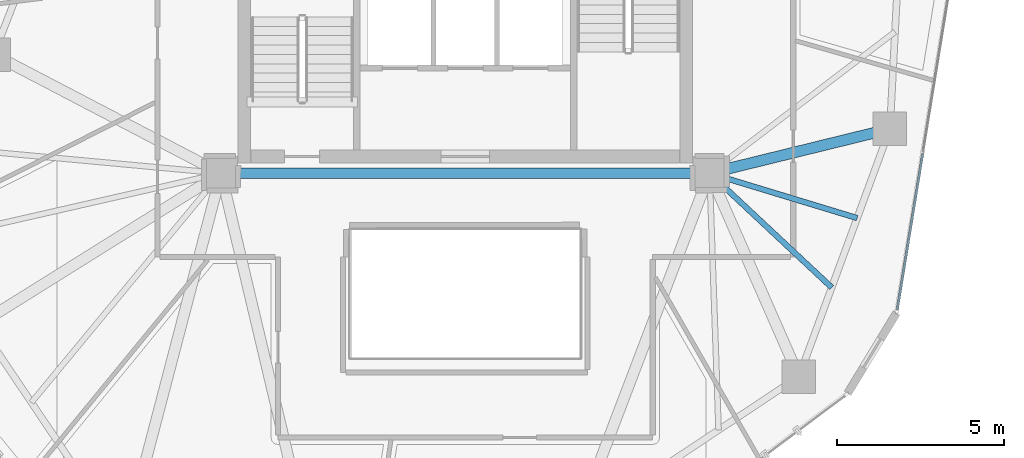
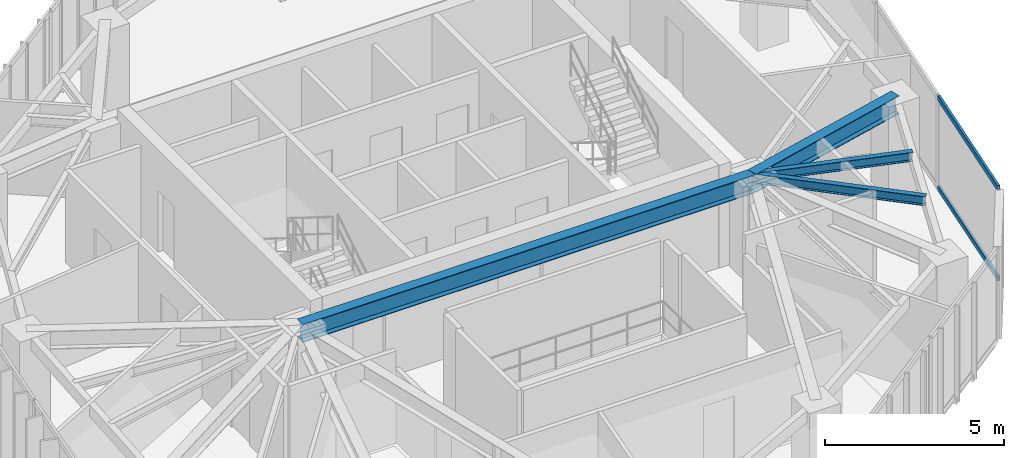
# One storey, part 9 of 20: 4 beams, 2 members, 1 element without a shape of its own.
"""IFC4 building model written with IfcOpenShell, lengths in metres."""

from ifc_helpers import new_model, si_unit, direction, frame, origin, origin_2d, place, context, subcontext, project, spatial, hollow_rectangle, i_section, extrude, source, transform, mapped, material, layer, layer_set, material_profile, profile_set, type_object, type_shapes, element, aggregate, save


model = new_model("IFC4")

# Units and contexts
model_context = context("Model", 3, precision=1e-05, world=origin(), true_north=direction((0.0, 1.0)))
body_context = subcontext(model_context, "Body", "Model", "MODEL_VIEW")
ifc_project = project(units=[si_unit("LENGTHUNIT", "METRE"), si_unit("AREAUNIT", "SQUARE_METRE"), si_unit("VOLUMEUNIT", "CUBIC_METRE"), si_unit("PLANEANGLEUNIT", "RADIAN"), si_unit("MASSUNIT", "GRAM", prefix="KILO")], contexts=[model_context])

# Site, building, storey
site_placement = place(None, origin())
site = spatial("IfcSite", under=ifc_project, at=site_placement, CompositionType="ELEMENT")
building_placement = place(site_placement, origin())
building = spatial("IfcBuilding", under=site, at=building_placement, Name="Talar Marvaseh", CompositionType="ELEMENT")
storey_placement = place(building_placement, frame((0.0, 0.0, 198.5)))
storey = spatial("IfcBuildingStorey", under=building, at=storey_placement, Name="L52", CompositionType="ELEMENT", Elevation=198.5)

# Beams
ifc_material_1 = material(Name="Steel S355", Category="steel")
ifc_material_profile_1 = material_profile(ifc_material_1, i_section(OverallWidth=0.324951171875, OverallDepth=0.615966796875, WebThickness=0.013916015625, FlangeThickness=0.021484375, at=origin_2d()), Name="W610x174")
ifc_profile_set_1 = profile_set([ifc_material_profile_1], Name="Steel S355")
beam_type_1 = type_object("IfcBeamType", Name="Zone 3 Radial Floor Girder W610x174", PredefinedType="BEAM", material=ifc_profile_set_1)
beam_1_placement = place(storey_placement, frame((18.699951171875, 25.5, 2.842041015625), z_axis=(1.0, 0.0, 0.0), x_axis=(0.0, 1.0, 0.0)))
element("IfcBeam", 1, at=beam_1_placement, inside=storey, type_object=beam_type_1, Name="L52 Zone 3 Radial Floor Girder W610x174", PredefinedType="BEAM", context=body_context, shape_type="SweptSolid", body=[
    extrude(i_section(OverallWidth=0.324951171875, OverallDepth=0.615966796875, WebThickness=0.013916015625, FlangeThickness=0.021484375, at=origin_2d()), origin(), (0.0, 0.0, 1.0), 14.60009765625),
])
beam_2_placement = place(storey_placement, frame((38.68896484375, 26.823974609375, 2.842041015625), z_axis=(-0.971120507527, -0.238589521692, 0.0), x_axis=(0.238589521692, -0.971120507527, 0.0)))
element("IfcBeam", 2, at=beam_2_placement, inside=storey, type_object=beam_type_1, Name="L52 Zone 3 Radial Floor Girder W610x174", PredefinedType="BEAM", context=body_context, shape_type="SweptSolid", body=[
    extrude(i_section(OverallWidth=0.324951171875, OverallDepth=0.615966796875, WebThickness=0.013916015625, FlangeThickness=0.021484375, at=origin_2d()), origin(), (0.0, 0.0, 1.0), 5.549072265625),
])
ifc_material_profile_2 = material_profile(ifc_material_1, i_section(OverallWidth=0.166015625, OverallDepth=0.31298828125, WebThickness=0.006591796875, FlangeThickness=0.01123046875, at=origin_2d()), Name="W310x45")
ifc_profile_set_2 = profile_set([ifc_material_profile_2], Name="Steel S355")
beam_type_2 = type_object("IfcBeamType", Name="Zone 3 Secondary Floor Joist W310x45", PredefinedType="JOIST", material=ifc_profile_set_2)
beam_3_placement = place(storey_placement, frame((37.71044921875, 24.15966796875, 2.993408203125), z_axis=(-0.956792465721, 0.290771693153, 0.0), x_axis=(-0.290771693153, -0.956792465721, 0.0)))
element("IfcBeam", 3, at=beam_3_placement, inside=storey, type_object=beam_type_2, Name="L52 Zone 3 Secondary Floor Joist W310x45", PredefinedType="JOIST", context=body_context, shape_type="SweptSolid", body=[
    extrude(i_section(OverallWidth=0.166015625, OverallDepth=0.31298828125, WebThickness=0.006591796875, FlangeThickness=0.01123046875, at=origin_2d()), origin(), (0.0, 0.0, 1.0), 4.609619140625),
])
beam_4_placement = place(storey_placement, frame((36.949462890625, 22.08740234375, 2.993408203125), z_axis=(-0.730408226886, 0.683010850643, 0.0), x_axis=(-0.683010850643, -0.730408226886, 0.0)))
element("IfcBeam", 4, at=beam_4_placement, inside=storey, type_object=beam_type_2, Name="L52 Zone 3 Secondary Floor Joist W310x45", PredefinedType="JOIST", context=body_context, shape_type="SweptSolid", body=[
    extrude(i_section(OverallWidth=0.166015625, OverallDepth=0.31298828125, WebThickness=0.006591796875, FlangeThickness=0.01123046875, at=origin_2d()), origin(), (0.0, 0.0, 1.0), 4.996337890625),
])

# Curtain wall, members
ifc_material_2 = material(Name="Architectural Aluminium", Category="aluminium")
ifc_layer = layer(ifc_material_2, 0.18994140625)
ifc_layer_set = layer_set([ifc_layer], Name="Architectural Aluminium")
curtain_wall_type = type_object("IfcCurtainWallType", Name="Unitised Solar Atelier Curtain Wall Z3", PredefinedType="NOTDEFINED", material=ifc_layer_set)
curtain_wall_placement = place(storey_placement, origin())
curtain_wall = element("IfcCurtainWall", 5, at=curtain_wall_placement, inside=storey, type_object=curtain_wall_type, Name="L52 Unitised Solar Atelier Curtain Wall Z3", PredefinedType="NOTDEFINED")
ifc_material_profile_3 = material_profile(ifc_material_2, hollow_rectangle(XDim=0.074951171875, YDim=0.179931640625, WallThickness=0.0048828125, at=origin_2d()), Name="RHS180x75x5")
ifc_profile_set_3 = profile_set([ifc_material_profile_3], Name="Architectural Aluminium")
member_type = type_object("IfcMemberType", Name="Unitised Curtain Wall Transom RHS180x75x5", PredefinedType="USERDEFINED", material=ifc_profile_set_3)
shared_shape = source(origin(), body_context, "Body", "SweptSolid", [
    extrude(hollow_rectangle(XDim=0.074951171875, YDim=0.179931640625, WallThickness=0.0048828125, at=origin_2d()), origin(), (0.0, 0.0, 1.0), 4.70947265625),
])
type_shapes(member_type, [shared_shape])
member_1_placement = place(storey_placement, frame((39.6650390625, 26.06982421875, 0.03759765625), z_axis=(-0.160858813852, -0.986977427303, 0.0), x_axis=(0.986977427303, -0.160858813852, 0.0)))
member_1 = element("IfcMember", 6, at=member_1_placement, type_object=member_type, Name="CW-Z3 transom 4.1", ObjectType="TRANSOM", PredefinedType="USERDEFINED", context=body_context, shape_type="MappedRepresentation", body=[
    mapped(shared_shape, transform((0.0, 0.0, 0.0), x_axis=(1.0, 0.0, 0.0), y_axis=(0.0, 1.0, 0.0), z_axis=(0.0, 0.0, 1.0), scale=1.0)),
])
member_2_placement = place(storey_placement, frame((39.6650390625, 26.06982421875, 3.112548828125), z_axis=(-0.160858813852, -0.986977427303, 0.0), x_axis=(0.986977427303, -0.160858813852, 0.0)))
member_2 = element("IfcMember", 7, at=member_2_placement, type_object=member_type, Name="CW-Z3 transom 4.2", ObjectType="TRANSOM", PredefinedType="USERDEFINED", context=body_context, shape_type="MappedRepresentation", body=[
    mapped(shared_shape, transform((0.0, 0.0, 0.0), x_axis=(1.0, 0.0, 0.0), y_axis=(0.0, 1.0, 0.0), z_axis=(0.0, 0.0, 1.0), scale=1.0)),
])
aggregate(curtain_wall, [member_1, member_2])

save(model, "model.ifc")
